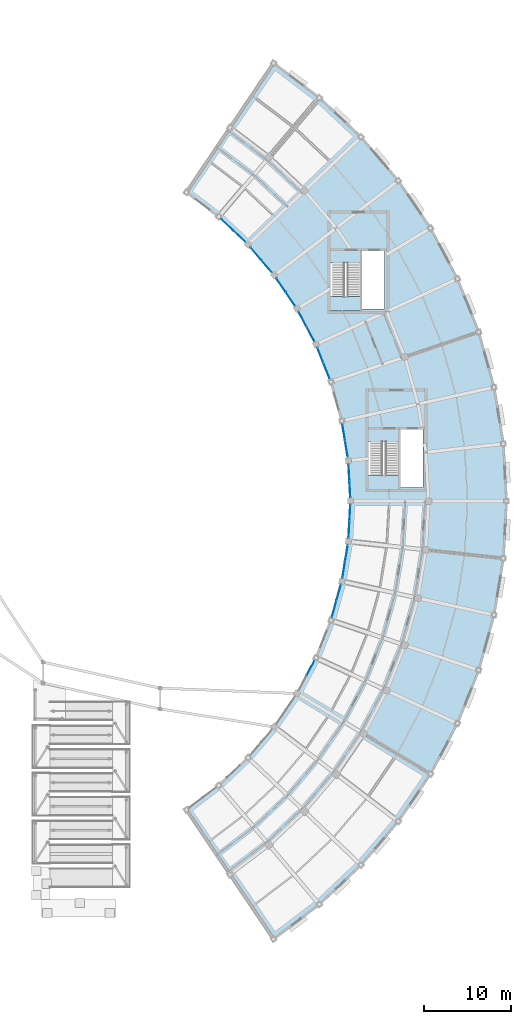
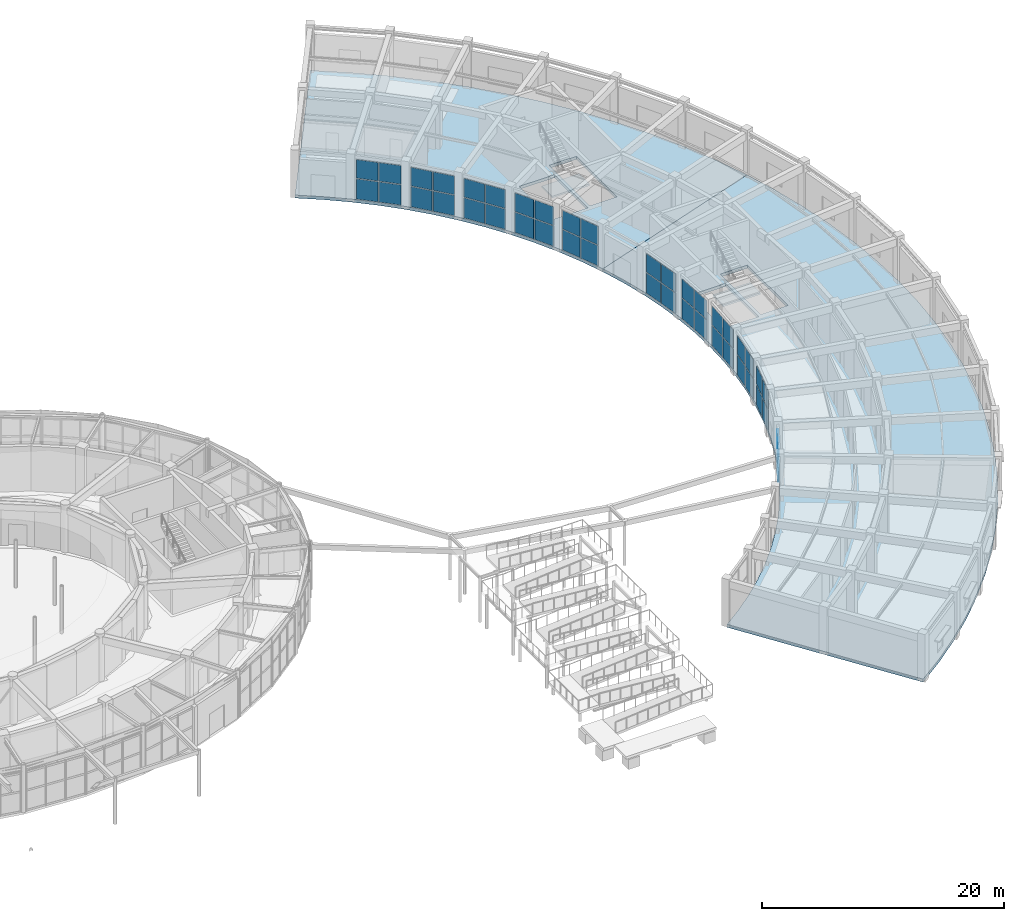
# One storey, part 83 of 108: 42 plates, 4 slabs, 13 elements without a shape of their own.
"""IFC4 building model written with IfcOpenShell, lengths in metres."""

from ifc_helpers import new_model, si_unit, direction, frame, origin, origin_2d, place, context, subcontext, project, spatial, polyline, rectangle, outline, extrude, material, layer, layer_set, type_object, element, aggregate, save


model = new_model("IFC4")

# Units and contexts
model_context = context("Model", 3, precision=1e-05, world=origin(), true_north=direction((0.0, 1.0)))
body_context = subcontext(model_context, "Body", "Model", "MODEL_VIEW")
ifc_project = project(units=[si_unit("LENGTHUNIT", "METRE"), si_unit("AREAUNIT", "SQUARE_METRE"), si_unit("VOLUMEUNIT", "CUBIC_METRE"), si_unit("PLANEANGLEUNIT", "RADIAN"), si_unit("MASSUNIT", "GRAM", prefix="KILO")], contexts=[model_context])

# Site, building, storey
site_placement = place(None, origin())
site = spatial("IfcSite", under=ifc_project, at=site_placement, CompositionType="ELEMENT")
building_placement = place(site_placement, origin())
building = spatial("IfcBuilding", under=site, at=building_placement, Name="Tarnveldt Headland Concert Hall", CompositionType="ELEMENT")
storey_placement = place(building_placement, origin())
storey = spatial("IfcBuildingStorey", under=building, at=storey_placement, Name="L00", CompositionType="ELEMENT", Elevation=0.0)

# Curtain wall, plates
ifc_material_1 = material(Name="Marine-anodised aluminium EN AW-6063-T6", Category="aluminium")
curtain_wall_type = type_object("IfcCurtainWallType", Name="CW-C1", PredefinedType="NOTDEFINED", material=ifc_material_1)
curtain_wall_1_placement = place(storey_placement, origin())
curtain_wall_1 = element("IfcCurtainWall", 1, at=curtain_wall_1_placement, inside=storey, type_object=curtain_wall_type, Name="Curtain wall CW-L00-098", PredefinedType="NOTDEFINED")
ifc_material_2 = material(Name="Acoustic laminated low-iron double glazing", Category="glass")
ifc_layer_1 = layer(ifc_material_2, 0.033935546875, Name="Acoustic laminated low-iron double glazing", Category="glass")
ifc_layer_set_1 = layer_set([ifc_layer_1], Name="Acoustic laminated low-iron double glazing")
plate_type = type_object("IfcPlateType", Name="PN-C1", PredefinedType="CURTAIN_PANEL", material=ifc_layer_set_1)
plate_1_placement = place(storey_placement, frame((155.8671875, 40.700439453125, 0.092529296875), z_axis=(0.0, 0.0, 1.0), x_axis=(0.469471562786, 0.882947592859, 0.0)))
plate_1 = element("IfcPlate", 2, at=plate_1_placement, type_object=plate_type, Name="Glazed panel CW-L00-098-2-1", PredefinedType="CURTAIN_PANEL", context=body_context, shape_type="SweptSolid", body=[
    extrude(rectangle(XDim=1.834716796875, YDim=0.033935546875, at=origin_2d()), origin(), (0.0, 0.0, 1.0), 2.0283203125),
])
plate_2_placement = place(storey_placement, frame((155.8671875, 40.700439453125, 2.205810546875), z_axis=(0.0, 0.0, 1.0), x_axis=(0.469471562786, 0.882947592859, 0.0)))
plate_2 = element("IfcPlate", 3, at=plate_2_placement, type_object=plate_type, Name="Glazed panel CW-L00-098-2-2", PredefinedType="CURTAIN_PANEL", context=body_context, shape_type="SweptSolid", body=[
    extrude(rectangle(XDim=1.834716796875, YDim=0.033935546875, at=origin_2d()), origin(), (0.0, 0.0, 1.0), 1.86181640625),
])
aggregate(curtain_wall_1, [plate_1, plate_2])

curtain_wall_2_placement = place(storey_placement, origin())
curtain_wall_2 = element("IfcCurtainWall", 4, at=curtain_wall_2_placement, inside=storey, type_object=curtain_wall_type, Name="Curtain wall CW-L00-099", PredefinedType="NOTDEFINED")
plate_3_placement = place(storey_placement, frame((158.603271484375, 47.54931640625, 0.092529296875), z_axis=(0.0, 0.0, 1.0), x_axis=(0.26814645756, 0.963378159031, 0.0)))
plate_3 = element("IfcPlate", 5, at=plate_3_placement, type_object=plate_type, Name="Glazed panel CW-L00-099-1-1", PredefinedType="CURTAIN_PANEL", context=body_context, shape_type="SweptSolid", body=[
    extrude(rectangle(XDim=1.834716796875, YDim=0.033935546875, at=origin_2d()), origin(), (0.0, 0.0, 1.0), 2.0283203125),
])
plate_4_placement = place(storey_placement, frame((158.603271484375, 47.54931640625, 2.205810546875), z_axis=(0.0, 0.0, 1.0), x_axis=(0.26814645756, 0.963378159031, 0.0)))
plate_4 = element("IfcPlate", 6, at=plate_4_placement, type_object=plate_type, Name="Glazed panel CW-L00-099-1-2", PredefinedType="CURTAIN_PANEL", context=body_context, shape_type="SweptSolid", body=[
    extrude(rectangle(XDim=1.834716796875, YDim=0.033935546875, at=origin_2d()), origin(), (0.0, 0.0, 1.0), 1.86181640625),
])
plate_5_placement = place(storey_placement, frame((159.12451171875, 49.421875, 0.092529296875), z_axis=(0.0, 0.0, 1.0), x_axis=(0.26814645756, 0.963378159031, 0.0)))
plate_5 = element("IfcPlate", 7, at=plate_5_placement, type_object=plate_type, Name="Glazed panel CW-L00-099-2-1", PredefinedType="CURTAIN_PANEL", context=body_context, shape_type="SweptSolid", body=[
    extrude(rectangle(XDim=1.834716796875, YDim=0.033935546875, at=origin_2d()), origin(), (0.0, 0.0, 1.0), 2.0283203125),
])
plate_6_placement = place(storey_placement, frame((159.12451171875, 49.421875, 2.205810546875), z_axis=(0.0, 0.0, 1.0), x_axis=(0.26814645756, 0.963378159031, 0.0)))
plate_6 = element("IfcPlate", 8, at=plate_6_placement, type_object=plate_type, Name="Glazed panel CW-L00-099-2-2", PredefinedType="CURTAIN_PANEL", context=body_context, shape_type="SweptSolid", body=[
    extrude(rectangle(XDim=1.834716796875, YDim=0.033935546875, at=origin_2d()), origin(), (0.0, 0.0, 1.0), 1.86181640625),
])
aggregate(curtain_wall_2, [plate_3, plate_4, plate_5, plate_6])

curtain_wall_3_placement = place(storey_placement, origin())
curtain_wall_3 = element("IfcCurtainWall", 9, at=curtain_wall_3_placement, inside=storey, type_object=curtain_wall_type, Name="Curtain wall CW-L00-100", PredefinedType="NOTDEFINED")
plate_7_placement = place(storey_placement, frame((159.710693359375, 52.07763671875, 0.092529296875), z_axis=(0.0, 0.0, 1.0), x_axis=(0.162154960078, 0.986765305897, 0.0)))
plate_7 = element("IfcPlate", 10, at=plate_7_placement, type_object=plate_type, Name="Glazed panel CW-L00-100-1-1", PredefinedType="CURTAIN_PANEL", context=body_context, shape_type="SweptSolid", body=[
    extrude(rectangle(XDim=1.834716796875, YDim=0.033935546875, at=origin_2d()), origin(), (0.0, 0.0, 1.0), 2.0283203125),
])
plate_8_placement = place(storey_placement, frame((159.710693359375, 52.07763671875, 2.205810546875), z_axis=(0.0, 0.0, 1.0), x_axis=(0.162154960078, 0.986765305897, 0.0)))
plate_8 = element("IfcPlate", 11, at=plate_8_placement, type_object=plate_type, Name="Glazed panel CW-L00-100-1-2", PredefinedType="CURTAIN_PANEL", context=body_context, shape_type="SweptSolid", body=[
    extrude(rectangle(XDim=1.834716796875, YDim=0.033935546875, at=origin_2d()), origin(), (0.0, 0.0, 1.0), 1.86181640625),
])
plate_9_placement = place(storey_placement, frame((160.02587890625, 53.99560546875, 0.092529296875), z_axis=(0.0, 0.0, 1.0), x_axis=(0.162154960078, 0.986765305897, 0.0)))
plate_9 = element("IfcPlate", 12, at=plate_9_placement, type_object=plate_type, Name="Glazed panel CW-L00-100-2-1", PredefinedType="CURTAIN_PANEL", context=body_context, shape_type="SweptSolid", body=[
    extrude(rectangle(XDim=1.834716796875, YDim=0.033935546875, at=origin_2d()), origin(), (0.0, 0.0, 1.0), 2.0283203125),
])
plate_10_placement = place(storey_placement, frame((160.02587890625, 53.99560546875, 2.205810546875), z_axis=(0.0, 0.0, 1.0), x_axis=(0.162154960078, 0.986765305897, 0.0)))
plate_10 = element("IfcPlate", 13, at=plate_10_placement, type_object=plate_type, Name="Glazed panel CW-L00-100-2-2", PredefinedType="CURTAIN_PANEL", context=body_context, shape_type="SweptSolid", body=[
    extrude(rectangle(XDim=1.834716796875, YDim=0.033935546875, at=origin_2d()), origin(), (0.0, 0.0, 1.0), 1.86181640625),
])
aggregate(curtain_wall_3, [plate_7, plate_8, plate_9, plate_10])

curtain_wall_4_placement = place(storey_placement, origin())
curtain_wall_4 = element("IfcCurtainWall", 14, at=curtain_wall_4_placement, inside=storey, type_object=curtain_wall_type, Name="Curtain wall CW-L00-101", PredefinedType="NOTDEFINED")
plate_11_placement = place(storey_placement, frame((160.320556640625, 56.69921875, 0.092529296875), z_axis=(0.0, 0.0, 1.0), x_axis=(0.054253089686, 0.998527216584, 0.0)))
plate_11 = element("IfcPlate", 15, at=plate_11_placement, type_object=plate_type, Name="Glazed panel CW-L00-101-1-1", PredefinedType="CURTAIN_PANEL", context=body_context, shape_type="SweptSolid", body=[
    extrude(rectangle(XDim=1.834716796875, YDim=0.033935546875, at=origin_2d()), origin(), (0.0, 0.0, 1.0), 2.0283203125),
])
plate_12_placement = place(storey_placement, frame((160.320556640625, 56.69921875, 2.205810546875), z_axis=(0.0, 0.0, 1.0), x_axis=(0.054253089686, 0.998527216584, 0.0)))
plate_12 = element("IfcPlate", 16, at=plate_12_placement, type_object=plate_type, Name="Glazed panel CW-L00-101-1-2", PredefinedType="CURTAIN_PANEL", context=body_context, shape_type="SweptSolid", body=[
    extrude(rectangle(XDim=1.834716796875, YDim=0.033935546875, at=origin_2d()), origin(), (0.0, 0.0, 1.0), 1.86181640625),
])
plate_13_placement = place(storey_placement, frame((160.426025390625, 58.64013671875, 0.092529296875), z_axis=(0.0, 0.0, 1.0), x_axis=(0.054253089686, 0.998527216584, 0.0)))
plate_13 = element("IfcPlate", 17, at=plate_13_placement, type_object=plate_type, Name="Glazed panel CW-L00-101-2-1", PredefinedType="CURTAIN_PANEL", context=body_context, shape_type="SweptSolid", body=[
    extrude(rectangle(XDim=1.834716796875, YDim=0.033935546875, at=origin_2d()), origin(), (0.0, 0.0, 1.0), 2.0283203125),
])
plate_14_placement = place(storey_placement, frame((160.426025390625, 58.64013671875, 2.205810546875), z_axis=(0.0, 0.0, 1.0), x_axis=(0.054253089686, 0.998527216584, 0.0)))
plate_14 = element("IfcPlate", 18, at=plate_14_placement, type_object=plate_type, Name="Glazed panel CW-L00-101-2-2", PredefinedType="CURTAIN_PANEL", context=body_context, shape_type="SweptSolid", body=[
    extrude(rectangle(XDim=1.834716796875, YDim=0.033935546875, at=origin_2d()), origin(), (0.0, 0.0, 1.0), 1.86181640625),
])
aggregate(curtain_wall_4, [plate_11, plate_12, plate_13, plate_14])

curtain_wall_5_placement = place(storey_placement, origin())
curtain_wall_5 = element("IfcCurtainWall", 19, at=curtain_wall_5_placement, inside=storey, type_object=curtain_wall_type, Name="Curtain wall CW-L00-102", PredefinedType="NOTDEFINED")
plate_15_placement = place(storey_placement, frame((160.426025390625, 61.35986328125, 0.092529296875), z_axis=(0.0, 0.0, 1.0), x_axis=(-0.054253089686, 0.998527216584, 0.0)))
plate_15 = element("IfcPlate", 20, at=plate_15_placement, type_object=plate_type, Name="Glazed panel CW-L00-102-1-1", PredefinedType="CURTAIN_PANEL", context=body_context, shape_type="SweptSolid", body=[
    extrude(rectangle(XDim=1.834716796875, YDim=0.033935546875, at=origin_2d()), origin(), (0.0, 0.0, 1.0), 2.0283203125),
])
plate_16_placement = place(storey_placement, frame((160.426025390625, 61.35986328125, 2.205810546875), z_axis=(0.0, 0.0, 1.0), x_axis=(-0.054253089686, 0.998527216584, 0.0)))
plate_16 = element("IfcPlate", 21, at=plate_16_placement, type_object=plate_type, Name="Glazed panel CW-L00-102-1-2", PredefinedType="CURTAIN_PANEL", context=body_context, shape_type="SweptSolid", body=[
    extrude(rectangle(XDim=1.834716796875, YDim=0.033935546875, at=origin_2d()), origin(), (0.0, 0.0, 1.0), 1.86181640625),
])
plate_17_placement = place(storey_placement, frame((160.320556640625, 63.30078125, 0.092529296875), z_axis=(0.0, 0.0, 1.0), x_axis=(-0.054253089686, 0.998527216584, 0.0)))
plate_17 = element("IfcPlate", 22, at=plate_17_placement, type_object=plate_type, Name="Glazed panel CW-L00-102-2-1", PredefinedType="CURTAIN_PANEL", context=body_context, shape_type="SweptSolid", body=[
    extrude(rectangle(XDim=1.834716796875, YDim=0.033935546875, at=origin_2d()), origin(), (0.0, 0.0, 1.0), 2.0283203125),
])
plate_18_placement = place(storey_placement, frame((160.320556640625, 63.30078125, 2.205810546875), z_axis=(0.0, 0.0, 1.0), x_axis=(-0.054253089686, 0.998527216584, 0.0)))
plate_18 = element("IfcPlate", 23, at=plate_18_placement, type_object=plate_type, Name="Glazed panel CW-L00-102-2-2", PredefinedType="CURTAIN_PANEL", context=body_context, shape_type="SweptSolid", body=[
    extrude(rectangle(XDim=1.834716796875, YDim=0.033935546875, at=origin_2d()), origin(), (0.0, 0.0, 1.0), 1.86181640625),
])
aggregate(curtain_wall_5, [plate_15, plate_16, plate_17, plate_18])

curtain_wall_6_placement = place(storey_placement, origin())
curtain_wall_6 = element("IfcCurtainWall", 24, at=curtain_wall_6_placement, inside=storey, type_object=curtain_wall_type, Name="Curtain wall CW-L00-103", PredefinedType="NOTDEFINED")
plate_19_placement = place(storey_placement, frame((160.02587890625, 66.00439453125, 0.092529296875), z_axis=(0.0, 0.0, 1.0), x_axis=(-0.162154960078, 0.986765305897, 0.0)))
plate_19 = element("IfcPlate", 25, at=plate_19_placement, type_object=plate_type, Name="Glazed panel CW-L00-103-1-1", PredefinedType="CURTAIN_PANEL", context=body_context, shape_type="SweptSolid", body=[
    extrude(rectangle(XDim=1.834716796875, YDim=0.033935546875, at=origin_2d()), origin(), (0.0, 0.0, 1.0), 2.0283203125),
])
plate_20_placement = place(storey_placement, frame((160.02587890625, 66.00439453125, 2.205810546875), z_axis=(0.0, 0.0, 1.0), x_axis=(-0.162154960078, 0.986765305897, 0.0)))
plate_20 = element("IfcPlate", 26, at=plate_20_placement, type_object=plate_type, Name="Glazed panel CW-L00-103-1-2", PredefinedType="CURTAIN_PANEL", context=body_context, shape_type="SweptSolid", body=[
    extrude(rectangle(XDim=1.834716796875, YDim=0.033935546875, at=origin_2d()), origin(), (0.0, 0.0, 1.0), 1.86181640625),
])
plate_21_placement = place(storey_placement, frame((159.710693359375, 67.92236328125, 0.092529296875), z_axis=(0.0, 0.0, 1.0), x_axis=(-0.162154960078, 0.986765305897, 0.0)))
plate_21 = element("IfcPlate", 27, at=plate_21_placement, type_object=plate_type, Name="Glazed panel CW-L00-103-2-1", PredefinedType="CURTAIN_PANEL", context=body_context, shape_type="SweptSolid", body=[
    extrude(rectangle(XDim=1.834716796875, YDim=0.033935546875, at=origin_2d()), origin(), (0.0, 0.0, 1.0), 2.0283203125),
])
plate_22_placement = place(storey_placement, frame((159.710693359375, 67.92236328125, 2.205810546875), z_axis=(0.0, 0.0, 1.0), x_axis=(-0.162154960078, 0.986765305897, 0.0)))
plate_22 = element("IfcPlate", 28, at=plate_22_placement, type_object=plate_type, Name="Glazed panel CW-L00-103-2-2", PredefinedType="CURTAIN_PANEL", context=body_context, shape_type="SweptSolid", body=[
    extrude(rectangle(XDim=1.834716796875, YDim=0.033935546875, at=origin_2d()), origin(), (0.0, 0.0, 1.0), 1.86181640625),
])
aggregate(curtain_wall_6, [plate_19, plate_20, plate_21, plate_22])

curtain_wall_7_placement = place(storey_placement, origin())
curtain_wall_7 = element("IfcCurtainWall", 29, at=curtain_wall_7_placement, inside=storey, type_object=curtain_wall_type, Name="Curtain wall CW-L00-104", PredefinedType="NOTDEFINED")
plate_23_placement = place(storey_placement, frame((157.73291015625, 75.02734375, 0.092529296875), z_axis=(0.0, 0.0, 1.0), x_axis=(-0.371027502784, 0.928621877934, 0.0)))
plate_23 = element("IfcPlate", 30, at=plate_23_placement, type_object=plate_type, Name="Glazed panel CW-L00-104-1-1", PredefinedType="CURTAIN_PANEL", context=body_context, shape_type="SweptSolid", body=[
    extrude(rectangle(XDim=1.834716796875, YDim=0.033935546875, at=origin_2d()), origin(), (0.0, 0.0, 1.0), 2.0283203125),
])
plate_24_placement = place(storey_placement, frame((157.73291015625, 75.02734375, 2.205810546875), z_axis=(0.0, 0.0, 1.0), x_axis=(-0.371027502784, 0.928621877934, 0.0)))
plate_24 = element("IfcPlate", 31, at=plate_24_placement, type_object=plate_type, Name="Glazed panel CW-L00-104-1-2", PredefinedType="CURTAIN_PANEL", context=body_context, shape_type="SweptSolid", body=[
    extrude(rectangle(XDim=1.834716796875, YDim=0.033935546875, at=origin_2d()), origin(), (0.0, 0.0, 1.0), 1.86181640625),
])
plate_25_placement = place(storey_placement, frame((157.01171875, 76.832275390625, 0.092529296875), z_axis=(0.0, 0.0, 1.0), x_axis=(-0.371027502784, 0.928621877934, 0.0)))
plate_25 = element("IfcPlate", 32, at=plate_25_placement, type_object=plate_type, Name="Glazed panel CW-L00-104-2-1", PredefinedType="CURTAIN_PANEL", context=body_context, shape_type="SweptSolid", body=[
    extrude(rectangle(XDim=1.834716796875, YDim=0.033935546875, at=origin_2d()), origin(), (0.0, 0.0, 1.0), 2.0283203125),
])
plate_26_placement = place(storey_placement, frame((157.01171875, 76.832275390625, 2.205810546875), z_axis=(0.0, 0.0, 1.0), x_axis=(-0.371027502784, 0.928621877934, 0.0)))
plate_26 = element("IfcPlate", 33, at=plate_26_placement, type_object=plate_type, Name="Glazed panel CW-L00-104-2-2", PredefinedType="CURTAIN_PANEL", context=body_context, shape_type="SweptSolid", body=[
    extrude(rectangle(XDim=1.834716796875, YDim=0.033935546875, at=origin_2d()), origin(), (0.0, 0.0, 1.0), 1.86181640625),
])
aggregate(curtain_wall_7, [plate_23, plate_24, plate_25, plate_26])

curtain_wall_8_placement = place(storey_placement, origin())
curtain_wall_8 = element("IfcCurtainWall", 34, at=curtain_wall_8_placement, inside=storey, type_object=curtain_wall_type, Name="Curtain wall CW-L00-105", PredefinedType="NOTDEFINED")
plate_27_placement = place(storey_placement, frame((155.8671875, 79.299560546875, 0.092529296875), z_axis=(0.0, 0.0, 1.0), x_axis=(-0.469471562786, 0.882947592859, 0.0)))
plate_27 = element("IfcPlate", 35, at=plate_27_placement, type_object=plate_type, Name="Glazed panel CW-L00-105-1-1", PredefinedType="CURTAIN_PANEL", context=body_context, shape_type="SweptSolid", body=[
    extrude(rectangle(XDim=1.834716796875, YDim=0.033935546875, at=origin_2d()), origin(), (0.0, 0.0, 1.0), 2.0283203125),
])
plate_28_placement = place(storey_placement, frame((155.8671875, 79.299560546875, 2.205810546875), z_axis=(0.0, 0.0, 1.0), x_axis=(-0.469471562786, 0.882947592859, 0.0)))
plate_28 = element("IfcPlate", 36, at=plate_28_placement, type_object=plate_type, Name="Glazed panel CW-L00-105-1-2", PredefinedType="CURTAIN_PANEL", context=body_context, shape_type="SweptSolid", body=[
    extrude(rectangle(XDim=1.834716796875, YDim=0.033935546875, at=origin_2d()), origin(), (0.0, 0.0, 1.0), 1.86181640625),
])
plate_29_placement = place(storey_placement, frame((154.95458984375, 81.015625, 0.092529296875), z_axis=(0.0, 0.0, 1.0), x_axis=(-0.469471562786, 0.882947592859, 0.0)))
plate_29 = element("IfcPlate", 37, at=plate_29_placement, type_object=plate_type, Name="Glazed panel CW-L00-105-2-1", PredefinedType="CURTAIN_PANEL", context=body_context, shape_type="SweptSolid", body=[
    extrude(rectangle(XDim=1.834716796875, YDim=0.033935546875, at=origin_2d()), origin(), (0.0, 0.0, 1.0), 2.0283203125),
])
plate_30_placement = place(storey_placement, frame((154.95458984375, 81.015625, 2.205810546875), z_axis=(0.0, 0.0, 1.0), x_axis=(-0.469471562786, 0.882947592859, 0.0)))
plate_30 = element("IfcPlate", 38, at=plate_30_placement, type_object=plate_type, Name="Glazed panel CW-L00-105-2-2", PredefinedType="CURTAIN_PANEL", context=body_context, shape_type="SweptSolid", body=[
    extrude(rectangle(XDim=1.834716796875, YDim=0.033935546875, at=origin_2d()), origin(), (0.0, 0.0, 1.0), 1.86181640625),
])
aggregate(curtain_wall_8, [plate_27, plate_28, plate_29, plate_30])

curtain_wall_9_placement = place(storey_placement, origin())
curtain_wall_9 = element("IfcCurtainWall", 39, at=curtain_wall_9_placement, inside=storey, type_object=curtain_wall_type, Name="Curtain wall CW-L00-106", PredefinedType="NOTDEFINED")
plate_31_placement = place(storey_placement, frame((153.54931640625, 83.34423828125, 0.092529296875), z_axis=(0.0, 0.0, 1.0), x_axis=(-0.562429775231, 0.826845056787, 0.0)))
plate_31 = element("IfcPlate", 40, at=plate_31_placement, type_object=plate_type, Name="Glazed panel CW-L00-106-1-1", PredefinedType="CURTAIN_PANEL", context=body_context, shape_type="SweptSolid", body=[
    extrude(rectangle(XDim=1.834716796875, YDim=0.033935546875, at=origin_2d()), origin(), (0.0, 0.0, 1.0), 2.0283203125),
])
plate_32_placement = place(storey_placement, frame((153.54931640625, 83.34423828125, 2.205810546875), z_axis=(0.0, 0.0, 1.0), x_axis=(-0.562429775231, 0.826845056787, 0.0)))
plate_32 = element("IfcPlate", 41, at=plate_32_placement, type_object=plate_type, Name="Glazed panel CW-L00-106-1-2", PredefinedType="CURTAIN_PANEL", context=body_context, shape_type="SweptSolid", body=[
    extrude(rectangle(XDim=1.834716796875, YDim=0.033935546875, at=origin_2d()), origin(), (0.0, 0.0, 1.0), 1.86181640625),
])
plate_33_placement = place(storey_placement, frame((152.4560546875, 84.951416015625, 0.092529296875), z_axis=(0.0, 0.0, 1.0), x_axis=(-0.562429775231, 0.826845056787, 0.0)))
plate_33 = element("IfcPlate", 42, at=plate_33_placement, type_object=plate_type, Name="Glazed panel CW-L00-106-2-1", PredefinedType="CURTAIN_PANEL", context=body_context, shape_type="SweptSolid", body=[
    extrude(rectangle(XDim=1.834716796875, YDim=0.033935546875, at=origin_2d()), origin(), (0.0, 0.0, 1.0), 2.0283203125),
])
plate_34_placement = place(storey_placement, frame((152.4560546875, 84.951416015625, 2.205810546875), z_axis=(0.0, 0.0, 1.0), x_axis=(-0.562429775231, 0.826845056787, 0.0)))
plate_34 = element("IfcPlate", 43, at=plate_34_placement, type_object=plate_type, Name="Glazed panel CW-L00-106-2-2", PredefinedType="CURTAIN_PANEL", context=body_context, shape_type="SweptSolid", body=[
    extrude(rectangle(XDim=1.834716796875, YDim=0.033935546875, at=origin_2d()), origin(), (0.0, 0.0, 1.0), 1.86181640625),
])
aggregate(curtain_wall_9, [plate_31, plate_32, plate_33, plate_34])

curtain_wall_10_placement = place(storey_placement, origin())
curtain_wall_10 = element("IfcCurtainWall", 44, at=curtain_wall_10_placement, inside=storey, type_object=curtain_wall_type, Name="Curtain wall CW-L00-107", PredefinedType="NOTDEFINED")
plate_35_placement = place(storey_placement, frame((150.806640625, 87.11376953125, 0.092529296875), z_axis=(0.0, 0.0, 1.0), x_axis=(-0.648704529332, 0.761040362677, 0.0)))
plate_35 = element("IfcPlate", 45, at=plate_35_placement, type_object=plate_type, Name="Glazed panel CW-L00-107-1-1", PredefinedType="CURTAIN_PANEL", context=body_context, shape_type="SweptSolid", body=[
    extrude(rectangle(XDim=1.834716796875, YDim=0.033935546875, at=origin_2d()), origin(), (0.0, 0.0, 1.0), 2.0283203125),
])
plate_36_placement = place(storey_placement, frame((150.806640625, 87.11376953125, 2.205810546875), z_axis=(0.0, 0.0, 1.0), x_axis=(-0.648704529332, 0.761040362677, 0.0)))
plate_36 = element("IfcPlate", 46, at=plate_36_placement, type_object=plate_type, Name="Glazed panel CW-L00-107-1-2", PredefinedType="CURTAIN_PANEL", context=body_context, shape_type="SweptSolid", body=[
    extrude(rectangle(XDim=1.834716796875, YDim=0.033935546875, at=origin_2d()), origin(), (0.0, 0.0, 1.0), 1.86181640625),
])
plate_37_placement = place(storey_placement, frame((149.5458984375, 88.593017578125, 0.092529296875), z_axis=(0.0, 0.0, 1.0), x_axis=(-0.648704529332, 0.761040362677, 0.0)))
plate_37 = element("IfcPlate", 47, at=plate_37_placement, type_object=plate_type, Name="Glazed panel CW-L00-107-2-1", PredefinedType="CURTAIN_PANEL", context=body_context, shape_type="SweptSolid", body=[
    extrude(rectangle(XDim=1.834716796875, YDim=0.033935546875, at=origin_2d()), origin(), (0.0, 0.0, 1.0), 2.0283203125),
])
plate_38_placement = place(storey_placement, frame((149.5458984375, 88.593017578125, 2.205810546875), z_axis=(0.0, 0.0, 1.0), x_axis=(-0.648704529332, 0.761040362677, 0.0)))
plate_38 = element("IfcPlate", 48, at=plate_38_placement, type_object=plate_type, Name="Glazed panel CW-L00-107-2-2", PredefinedType="CURTAIN_PANEL", context=body_context, shape_type="SweptSolid", body=[
    extrude(rectangle(XDim=1.834716796875, YDim=0.033935546875, at=origin_2d()), origin(), (0.0, 0.0, 1.0), 1.86181640625),
])
aggregate(curtain_wall_10, [plate_35, plate_36, plate_37, plate_38])

curtain_wall_11_placement = place(storey_placement, origin())
curtain_wall_11 = element("IfcCurtainWall", 49, at=curtain_wall_11_placement, inside=storey, type_object=curtain_wall_type, Name="Curtain wall CW-L00-108", PredefinedType="NOTDEFINED")
plate_39_placement = place(storey_placement, frame((147.671875, 90.56396484375, 0.092529296875), z_axis=(0.0, 0.0, 1.0), x_axis=(-0.72736565674, 0.686250101199, 0.0)))
plate_39 = element("IfcPlate", 50, at=plate_39_placement, type_object=plate_type, Name="Glazed panel CW-L00-108-1-1", PredefinedType="CURTAIN_PANEL", context=body_context, shape_type="SweptSolid", body=[
    extrude(rectangle(XDim=1.834716796875, YDim=0.033935546875, at=origin_2d()), origin(), (0.0, 0.0, 1.0), 2.0283203125),
])
plate_40_placement = place(storey_placement, frame((147.671875, 90.56396484375, 2.205810546875), z_axis=(0.0, 0.0, 1.0), x_axis=(-0.72736565674, 0.686250101199, 0.0)))
plate_40 = element("IfcPlate", 51, at=plate_40_placement, type_object=plate_type, Name="Glazed panel CW-L00-108-1-2", PredefinedType="CURTAIN_PANEL", context=body_context, shape_type="SweptSolid", body=[
    extrude(rectangle(XDim=1.834716796875, YDim=0.033935546875, at=origin_2d()), origin(), (0.0, 0.0, 1.0), 1.86181640625),
])
plate_41_placement = place(storey_placement, frame((146.258056640625, 91.89794921875, 0.092529296875), z_axis=(0.0, 0.0, 1.0), x_axis=(-0.72736565674, 0.686250101199, 0.0)))
plate_41 = element("IfcPlate", 52, at=plate_41_placement, type_object=plate_type, Name="Glazed panel CW-L00-108-2-1", PredefinedType="CURTAIN_PANEL", context=body_context, shape_type="SweptSolid", body=[
    extrude(rectangle(XDim=1.834716796875, YDim=0.033935546875, at=origin_2d()), origin(), (0.0, 0.0, 1.0), 2.0283203125),
])
plate_42_placement = place(storey_placement, frame((146.258056640625, 91.89794921875, 2.205810546875), z_axis=(0.0, 0.0, 1.0), x_axis=(-0.72736565674, 0.686250101199, 0.0)))
plate_42 = element("IfcPlate", 53, at=plate_42_placement, type_object=plate_type, Name="Glazed panel CW-L00-108-2-2", PredefinedType="CURTAIN_PANEL", context=body_context, shape_type="SweptSolid", body=[
    extrude(rectangle(XDim=1.834716796875, YDim=0.033935546875, at=origin_2d()), origin(), (0.0, 0.0, 1.0), 1.86181640625),
])
aggregate(curtain_wall_11, [plate_39, plate_40, plate_41, plate_42])

# Slabs
ifc_material_3 = material(Name="Concrete C40/50", Category="concrete")
ifc_layer_2 = layer(ifc_material_3, 0.300048828125, Name="Concrete C40/50", Category="concrete")
ifc_layer_set_2 = layer_set([ifc_layer_2], Name="Concrete C40/50")
slab_type_1 = type_object("IfcSlabType", Name="SL-FL300", PredefinedType="FLOOR", material=ifc_layer_set_2)
slab_1_placement = place(storey_placement, frame((0.0, 0.0, -0.300048828125)))
element("IfcSlab", 54, at=slab_1_placement, inside=storey, type_object=slab_type_1, Name="Crescent wing floor slab L00 sector 1", PredefinedType="FLOOR", context=body_context, shape_type="SweptSolid", body=[
    extrude(outline(polyline([(143.444580078125, 25.708984375), (141.54541015625, 24.351318359375), (151.61083984375, 9.4287109375), (154.30517578125, 11.3544921875), (156.89111328125, 13.423583984375), (159.360595703125, 15.630126953125), (161.70703125, 17.967529296875), (163.923095703125, 20.4287109375), (166.00244140625, 23.006591796875), (167.938720703125, 25.693359375), (169.726318359375, 28.481201171875), (171.35986328125, 31.3623046875), (172.834716796875, 34.327392578125), (174.146484375, 37.368408203125), (175.291259765625, 40.476318359375), (176.265625, 43.6416015625), (177.06689453125, 46.85498046875), (177.6923828125, 50.107177734375), (178.140625, 53.388427734375), (178.41015625, 56.689453125), (178.5, 60.0), (178.41015625, 63.310546875), (178.140625, 66.611572265625), (177.6923828125, 69.892822265625), (177.06689453125, 73.14501953125), (176.265625, 76.3583984375), (175.291259765625, 79.523681640625), (158.238037109375, 73.7626953125), (158.9248046875, 71.531494140625), (159.48974609375, 69.26611328125), (159.9306640625, 66.9736328125), (160.24658203125, 64.66064453125), (160.4365234375, 62.333740234375), (160.5, 60.0), (160.4365234375, 57.666259765625), (160.24658203125, 55.33935546875), (159.9306640625, 53.0263671875), (159.48974609375, 50.73388671875), (158.9248046875, 48.468505859375), (158.238037109375, 46.2373046875), (157.43115234375, 44.046630859375), (156.50634765625, 41.903076171875), (155.466796875, 39.812744140625), (154.315185546875, 37.781982421875), (153.05517578125, 35.816650390625), (151.690185546875, 33.922607421875), (150.224609375, 32.10546875), (148.662353515625, 30.37060546875), (147.00830078125, 28.722900390625), (145.267333984375, 27.16748046875), (143.444580078125, 25.708984375)]), holes=[polyline([(162.580078125, 66.8798828125), (165.9599609375, 66.8798828125), (165.9599609375, 61.3798828125), (162.580078125, 61.3798828125), (162.580078125, 66.8798828125)]), polyline([(168.840087890625, 68.260009765625), (168.840087890625, 61.56005859375), (166.239990234375, 61.56005859375), (166.239990234375, 68.260009765625), (168.840087890625, 68.260009765625)])]), origin(), (0.0, 0.0, 1.0), 0.300048828125),
])
slab_2_placement = place(storey_placement, frame((0.0, 0.0, -0.300048828125)))
element("IfcSlab", 55, at=slab_2_placement, inside=storey, type_object=slab_type_1, Name="Crescent wing floor slab L00 sector 2", PredefinedType="FLOOR", context=body_context, shape_type="SweptSolid", body=[
    extrude(outline(polyline([(157.43115234375, 75.953369140625), (158.238037109375, 73.7626953125), (175.291259765625, 79.523681640625), (174.146484375, 82.631591796875), (172.834716796875, 85.672607421875), (171.35986328125, 88.6376953125), (169.726318359375, 91.518798828125), (167.938720703125, 94.306640625), (166.00244140625, 96.993408203125), (163.923095703125, 99.5712890625), (161.70703125, 102.032470703125), (159.360595703125, 104.369873046875), (156.89111328125, 106.576416015625), (154.30517578125, 108.6455078125), (151.61083984375, 110.5712890625), (141.54541015625, 95.648681640625), (143.444580078125, 94.291015625), (145.267333984375, 92.83251953125), (147.00830078125, 91.277099609375), (148.662353515625, 89.62939453125), (150.224609375, 87.89453125), (151.690185546875, 86.077392578125), (153.05517578125, 84.183349609375), (154.315185546875, 82.218017578125), (155.466796875, 80.187255859375), (156.50634765625, 78.096923828125), (157.43115234375, 75.953369140625)]), holes=[polyline([(158.179931640625, 87.47998046875), (161.56005859375, 87.47998046875), (161.56005859375, 81.97998046875), (158.179931640625, 81.97998046875), (158.179931640625, 87.47998046875)]), polyline([(164.43994140625, 88.860107421875), (164.43994140625, 82.159912109375), (161.840087890625, 82.159912109375), (161.840087890625, 88.860107421875), (164.43994140625, 88.860107421875)])]), origin(), (0.0, 0.0, 1.0), 0.300048828125),
])

# Stair, slab
stair_type = type_object("IfcStairType", Name="ST-CORE480", PredefinedType="HALF_TURN_STAIR", material=ifc_material_3)
stair_1_placement = place(storey_placement, origin())
stair_1 = element("IfcStair", 56, at=stair_1_placement, inside=storey, type_object=stair_type, Name="Exit stair STR-C3-L00", PredefinedType="HALF_TURN_STAIR")
ifc_layer_3 = layer(ifc_material_3, 0.179931640625, Name="Concrete C40/50", Category="concrete")
ifc_layer_set_3 = layer_set([ifc_layer_3], Name="Concrete C40/50")
slab_type_2 = type_object("IfcSlabType", Name="SL-STLND180", PredefinedType="LANDING", material=ifc_layer_set_3)
slab_3_placement = place(storey_placement, frame((0.0, 0.0, 2.219970703125)))
slab_3 = element("IfcSlab", 57, at=slab_3_placement, type_object=slab_type_2, Name="Stair half-landing STR-C3-L00", PredefinedType="LANDING", context=body_context, shape_type="SweptSolid", body=[
    extrude(outline(polyline([(158.1201171875, 81.919921875), (161.679931640625, 81.919921875), (161.679931640625, 83.639892578125), (158.1201171875, 83.639892578125), (158.1201171875, 81.919921875)])), origin(), (0.0, 0.0, 1.0), 0.179931640625),
])
aggregate(stair_1, [slab_3])

stair_2_placement = place(storey_placement, origin())
stair_2 = element("IfcStair", 58, at=stair_2_placement, inside=storey, type_object=stair_type, Name="Exit stair STR-C4-L00", PredefinedType="HALF_TURN_STAIR")
slab_4_placement = place(storey_placement, frame((0.0, 0.0, 2.219970703125)))
slab_4 = element("IfcSlab", 59, at=slab_4_placement, type_object=slab_type_2, Name="Stair half-landing STR-C4-L00", PredefinedType="LANDING", context=body_context, shape_type="SweptSolid", body=[
    extrude(outline(polyline([(162.52001953125, 61.320068359375), (166.080078125, 61.320068359375), (166.080078125, 63.0400390625), (162.52001953125, 63.0400390625), (162.52001953125, 61.320068359375)])), origin(), (0.0, 0.0, 1.0), 0.179931640625),
])
aggregate(stair_2, [slab_4])

save(model, "model.ifc")
